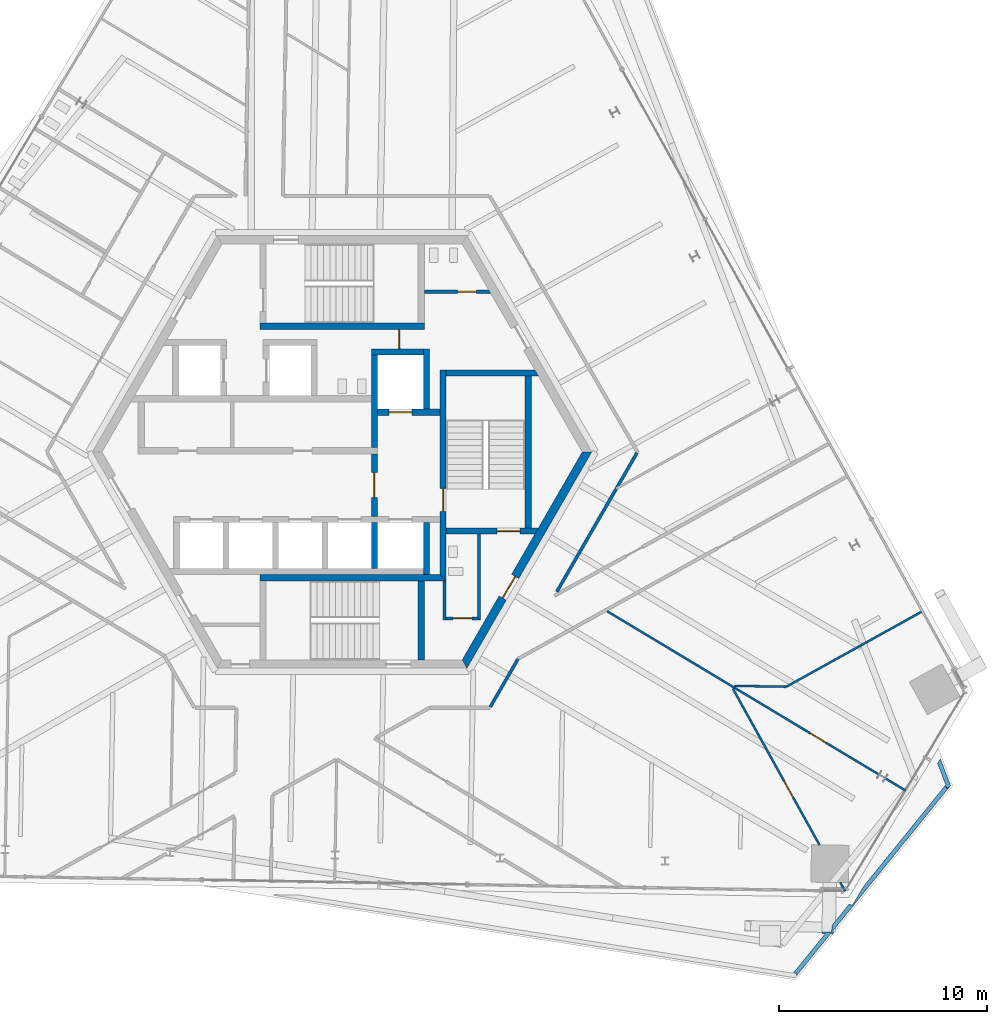
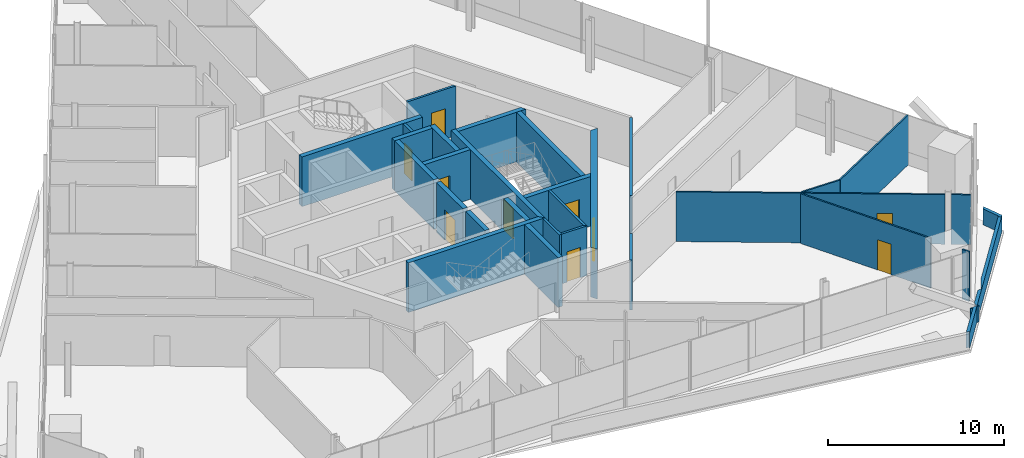
# One storey, part 16 of 22: 31 walls, 10 doors, 10 openings.
"""IFC4 building model written with IfcOpenShell, lengths in metres."""

from ifc_helpers import new_model, si_unit, direction, frame, frame_2d, origin, place, context, subcontext, project, spatial, polyline, rectangle, outline, extrude, source, transform, mapped, material, layer, layer_set, type_object, element, fill, save


model = new_model("IFC4")

# Units and contexts
model_context = context("Model", 3, precision=1e-05, world=origin(), true_north=direction((0.0, 1.0)))
body_context = subcontext(model_context, "Body", "Model", "MODEL_VIEW")
ifc_project = project(units=[si_unit("LENGTHUNIT", "METRE"), si_unit("AREAUNIT", "SQUARE_METRE"), si_unit("VOLUMEUNIT", "CUBIC_METRE"), si_unit("PLANEANGLEUNIT", "RADIAN"), si_unit("MASSUNIT", "GRAM", prefix="KILO")], contexts=[model_context])

# Site, building, storey
site_placement = place(None, origin())
site = spatial("IfcSite", under=ifc_project, at=site_placement, CompositionType="ELEMENT")
building_placement = place(site_placement, origin())
building = spatial("IfcBuilding", under=site, at=building_placement, Name="Triune Harvest Tower", CompositionType="ELEMENT")
storey_placement = place(building_placement, frame((0.0, 0.0, 179.89990234375)))
storey = spatial("IfcBuildingStorey", under=building, at=storey_placement, Name="L46", CompositionType="ELEMENT", Elevation=179.89990234375)

# Walls
ifc_material_1 = material(Name="Gypsum board on steel studs", Category="steel")
ifc_layer_1 = layer(ifc_material_1, 0.14990234375)
ifc_layer_set_1 = layer_set([ifc_layer_1], Name="Gypsum board on steel studs")
wall_type_1 = type_object("IfcWallType", Name="Fire Partition 150 mm", PredefinedType="PARTITIONING", material=ifc_layer_set_1)
wall_1_placement = place(storey_placement, frame((7.121826171875, -12.2490234375, 0.0), z_axis=(0.0, 0.0, 1.0), x_axis=(0.499993606316, 0.866029095148, 0.0)))
element("IfcWall", 1, at=wall_1_placement, inside=storey, type_object=wall_type_1, Name="Partition L46 046", PredefinedType="PARTITIONING", context=body_context, shape_type="SweptSolid", body=[
    extrude(rectangle(XDim=2.64990234375, YDim=0.14990234375, at=frame_2d((1.324951171875, 0.0))), origin(), (0.0, 0.0, 1.0), 3.440185546875),
])
wall_2_placement = place(storey_placement, frame((10.3193359375, -6.7109375, 0.0), z_axis=(0.0, 0.0, 1.0), x_axis=(0.49999968603, 0.866025585055, 0.0)))
element("IfcWall", 2, at=wall_2_placement, inside=storey, type_object=wall_type_1, Name="Partition L46 047", PredefinedType="PARTITIONING", context=body_context, shape_type="SweptSolid", body=[
    extrude(rectangle(XDim=7.69921875, YDim=0.14990234375, at=frame_2d((3.849609375, 0.0))), origin(), (0.0, 0.0, 1.0), 3.440185546875),
])
ifc_material_2 = material(Name="Concrete 40 MPa", Category="concrete")
ifc_layer_2 = layer(ifc_material_2, 0.199951171875)
ifc_layer_set_2 = layer_set([ifc_layer_2], Name="Concrete 40 MPa")
wall_type_2 = type_object("IfcWallType", Name="PA-1 parapet 200", PredefinedType="PARAPET", material=ifc_layer_set_2)
wall_3_placement = place(storey_placement, origin())
element("IfcWall", 3, at=wall_3_placement, inside=storey, type_object=wall_type_2, Name="Parapet wedge L45 3.1", PredefinedType="PARAPET", context=body_context, shape_type="SweptSolid", body=[
    extrude(outline(polyline([(28.994384765625, -16.010986328125), (29.0087890625, -15.9931640625), (28.614501953125, -14.965576171875), (28.7451171875, -14.748046875), (29.237060546875, -16.029296875), (29.164306640625, -16.119140625), (29.05224609375, -16.162109375), (28.994384765625, -16.010986328125)])), origin(), (0.0, 0.0, 1.0), 1.10009765625),
])
wall_4_placement = place(storey_placement, origin())
element("IfcWall", 4, at=wall_4_placement, inside=storey, type_object=wall_type_2, Name="Parapet wedge L45 3.3", PredefinedType="PARAPET", context=body_context, shape_type="SweptSolid", body=[
    extrude(outline(polyline([(23.21630859375, -23.146240234375), (23.05615234375, -23.1435546875), (23.0576171875, -23.068115234375), (23.657470703125, -23.07861328125), (23.59716796875, -23.15283203125), (23.47021484375, -23.150634765625), (21.830322265625, -25.17578125), (21.84912109375, -25.05712890625), (21.689453125, -25.031982421875), (23.21630859375, -23.146240234375)])), origin(), (0.0, 0.0, 1.0), 1.10009765625),
])
wall_5_placement = place(storey_placement, origin())
element("IfcWall", 5, at=wall_5_placement, inside=storey, type_object=wall_type_2, Name="Parapet wedge L45 3.4", PredefinedType="PARAPET", context=body_context, shape_type="SweptSolid", body=[
    extrude(outline(polyline([(24.343017578125, -21.75537109375), (24.53271484375, -21.758544921875), (25.08642578125, -20.8369140625), (28.994384765625, -16.010986328125), (29.05224609375, -16.162109375), (29.164306640625, -16.119140625), (23.52587890625, -23.08203125), (23.531494140625, -22.757080078125), (24.343017578125, -21.75537109375)])), origin(), (0.0, 0.0, 1.0), 1.10009765625),
])

# Wall, opening, door
ifc_material_3 = material(Name="Gypsum board on steel studs", Category="steel")
ifc_layer_3 = layer(ifc_material_3, 0.10009765625)
ifc_layer_set_3 = layer_set([ifc_layer_3], Name="Gypsum board on steel studs")
wall_type_3 = type_object("IfcWallType", Name="Partition 100 mm", PredefinedType="PARTITIONING", material=ifc_layer_set_3)
wall_6_placement = place(storey_placement, frame((18.7724609375, -11.367431640625, 0.0), z_axis=(0.0, 0.0, 1.0), x_axis=(0.484798970741, -0.874625610172, 0.0)))
wall_6 = element("IfcWall", 6, at=wall_6_placement, inside=storey, type_object=wall_type_3, Name="Partition L46 002", PredefinedType="PARTITIONING", context=body_context, shape_type="SweptSolid", body=[
    extrude(rectangle(XDim=8.598876953125, YDim=0.10009765625, at=frame_2d((4.29931640625, 0.0))), origin(), (0.0, 0.0, 1.0), 3.440185546875),
])
opening_1_placement = place(wall_6_placement, frame((5.080078125, 0.0, 0.0)))
opening_1 = element("IfcOpeningElement", 7, at=opening_1_placement, cuts=wall_6, Name="Opening L46-024", PredefinedType="OPENING", context=body_context, shape_type="SweptSolid", body=[
    extrude(rectangle(XDim=0.89990234375, YDim=2.10009765625, at=frame_2d((0.449951171875, 1.050048828125))), frame((0.0, 0.06005859375, 0.0), z_axis=(0.0, -1.0, 0.0), x_axis=(1.0, 0.0, 0.0)), (0.0, 0.0, 1.0), 0.1201171875),
])
ifc_material_4 = material(Name="Timber and steel door set", Category="steel")
door_type_1 = type_object("IfcDoorType", Name="Single leaf door right hand 900 x 2100", OperationType="SINGLE_SWING_RIGHT", PredefinedType="DOOR", material=ifc_material_4)
door_1_placement = place(opening_1_placement, origin())
door_1 = element("IfcDoor", 8, at=door_1_placement, inside=storey, type_object=door_type_1, Name="Door L46-024 Meeting Room 46.24", OperationType="SINGLE_SWING_RIGHT", OverallHeight=2.10009765625, OverallWidth=0.89990234375, PredefinedType="DOOR", context=body_context, shape_type="SweptSolid", body=[
    extrude(rectangle(XDim=0.89990234375, YDim=2.10009765625, at=frame_2d((0.449951171875, 1.050048828125))), frame((0.0, 0.02490234375, 0.0), z_axis=(0.0, -1.0, 0.0), x_axis=(1.0, 0.0, 0.0)), (0.0, 0.0, 1.0), 0.050048828125),
])
fill(opening_1, door_1)

# Wall
wall_7_placement = place(storey_placement, frame((23.937744140625, -20.685791015625, 0.0), z_axis=(0.0, 0.0, 1.0), x_axis=(0.484729049618, -0.874664363317, 0.0)))
element("IfcWall", 9, at=wall_7_placement, inside=storey, type_object=wall_type_3, Name="Partition L46 003", PredefinedType="PARTITIONING", context=body_context, shape_type="SweptSolid", body=[
    extrude(rectangle(XDim=0.4765625, YDim=0.10009765625, at=frame_2d((0.23828125, 0.0))), origin(), (0.0, 0.0, 1.0), 3.440185546875),
])

# Wall, opening, door
wall_8_placement = place(storey_placement, frame((12.737060546875, -7.6533203125, 0.0), z_axis=(0.0, 0.0, 1.0), x_axis=(0.857170730104, -0.515032367385, 0.0)))
wall_8 = element("IfcWall", 10, at=wall_8_placement, inside=storey, type_object=wall_type_3, Name="Partition L46 017", PredefinedType="PARTITIONING", context=body_context, shape_type="SweptSolid", body=[
    extrude(rectangle(XDim=15.251953125, YDim=0.10009765625, at=frame_2d((7.6259765625, 0.0))), origin(), (0.0, 0.0, 1.0), 3.440185546875),
])
opening_2_placement = place(wall_8_placement, frame((11.37548828125, 0.0, 0.0)))
opening_2 = element("IfcOpeningElement", 11, at=opening_2_placement, cuts=wall_8, Name="Opening L46-025", PredefinedType="OPENING", context=body_context, shape_type="SweptSolid", body=[
    extrude(rectangle(XDim=0.89990234375, YDim=2.10009765625, at=frame_2d((0.449951171875, 1.050048828125))), frame((0.0, 0.06005859375, 0.0), z_axis=(0.0, -1.0, 0.0), x_axis=(1.0, 0.0, 0.0)), (0.0, 0.0, 1.0), 0.1201171875),
])
door_2_placement = place(opening_2_placement, origin())
door_2 = element("IfcDoor", 12, at=door_2_placement, inside=storey, type_object=door_type_1, Name="Door L46-025 Pantry 46.25", OperationType="SINGLE_SWING_RIGHT", OverallHeight=2.10009765625, OverallWidth=0.89990234375, PredefinedType="DOOR", context=body_context, shape_type="SweptSolid", body=[
    extrude(rectangle(XDim=0.89990234375, YDim=2.10009765625, at=frame_2d((0.449951171875, 1.050048828125))), frame((0.0, 0.02490234375, 0.0), z_axis=(0.0, -1.0, 0.0), x_axis=(1.0, 0.0, 0.0)), (0.0, 0.0, 1.0), 0.050048828125),
])
fill(opening_2, door_2)

# Walls
wall_9_placement = place(storey_placement, frame((18.85009765625, -11.23876953125, 0.0), z_axis=(0.0, 0.0, 1.0), x_axis=(0.999848433568, -0.017410051426, 0.0)))
element("IfcWall", 13, at=wall_9_placement, inside=storey, type_object=wall_type_3, Name="Partition L46 028", PredefinedType="PARTITIONING", context=body_context, shape_type="SweptSolid", body=[
    extrude(rectangle(XDim=2.482177734375, YDim=0.10009765625, at=frame_2d((1.2412109375, 0.0))), origin(), (0.0, 0.0, 1.0), 3.440185546875),
])
wall_10_placement = place(storey_placement, frame((21.341796875, -11.2822265625, 0.0), z_axis=(0.0, 0.0, 1.0), x_axis=(0.87462638506, 0.484797572764, 0.0)))
element("IfcWall", 14, at=wall_10_placement, inside=storey, type_object=wall_type_3, Name="Partition L46 033", PredefinedType="PARTITIONING", context=body_context, shape_type="SweptSolid", body=[
    extrude(rectangle(XDim=7.48095703125, YDim=0.10009765625, at=frame_2d((3.740478515625, 0.0))), origin(), (0.0, 0.0, 1.0), 3.440185546875),
])

# Wall, opening, door
ifc_material_5 = material(Name="Concrete 70 MPa", Category="concrete")
ifc_layer_4 = layer(ifc_material_5, 0.39990234375)
ifc_layer_set_4 = layer_set([ifc_layer_4], Name="Concrete 70 MPa")
wall_type_4 = type_object("IfcWallType", Name="Core wall 400", PredefinedType="SHEAR", material=ifc_layer_set_4)
shared_shape_1 = source(origin(), body_context, "Body", "SweptSolid", [
    extrude(outline(polyline([(-0.115478515625, -0.199951171875), (11.884521484375, -0.199951171875), (11.653564453125, 0.199951171875), (0.115478515625, 0.199951171875), (-0.115478515625, -0.199951171875)])), origin(), (0.0, 0.0, 1.0), 3.440185546875),
])
wall_11_placement = place(storey_placement, frame((5.884521484375, -10.1923828125, 0.0), z_axis=(0.0, 0.0, 1.0), x_axis=(0.499996592174, 0.866027371285, 0.0)))
wall_11 = element("IfcWall", 15, at=wall_11_placement, inside=storey, type_object=wall_type_4, Name="Hexagon 5 wall", PredefinedType="SHEAR", context=body_context, shape_type="MappedRepresentation", body=[
    mapped(shared_shape_1, transform((0.0, 0.0, 0.0), scale=1.0)),
])
opening_3_placement = place(wall_11_placement, frame((3.66455078125, 0.0, 0.0)))
opening_3 = element("IfcOpeningElement", 16, at=opening_3_placement, cuts=wall_11, Name="Opening CD-DP", PredefinedType="OPENING", context=body_context, shape_type="SweptSolid", body=[
    extrude(rectangle(XDim=1.199951171875, YDim=2.10009765625, at=frame_2d((0.60009765625, 1.050048828125))), frame((0.0, 0.2099609375, 0.0), z_axis=(0.0, -1.0, 0.0), x_axis=(1.0, 0.0, 0.0)), (0.0, 0.0, 1.0), 0.419921875),
])
ifc_material_6 = material(Name="Steel S235", Category="steel")
door_type_2 = type_object("IfcDoorType", Name="Stair door 1200 FD120", OperationType="SINGLE_SWING_LEFT", PredefinedType="DOOR", material=ifc_material_6)
door_3_placement = place(opening_3_placement, frame((1.199951171875, 0.0, 0.0), z_axis=(0.0, 0.0, 1.0), x_axis=(-1.0, 0.0, 0.0)))
door_3 = element("IfcDoor", 17, at=door_3_placement, inside=storey, type_object=door_type_2, Name="Door CD-DP", OperationType="SINGLE_SWING_RIGHT", OverallHeight=2.10009765625, OverallWidth=1.199951171875, PredefinedType="DOOR", context=body_context, shape_type="SweptSolid", body=[
    extrude(rectangle(XDim=1.199951171875, YDim=2.10009765625, at=frame_2d((0.60009765625, 1.050048828125))), frame((0.0, 0.02490234375, 0.0), z_axis=(0.0, -1.0, 0.0), x_axis=(1.0, 0.0, 0.0)), (0.0, 0.0, 1.0), 0.050048828125),
])
fill(opening_3, door_3)

# Walls
ifc_material_7 = material(Name="Concrete 70 MPa", Category="concrete")
ifc_layer_5 = layer(ifc_material_7, 0.300048828125)
ifc_layer_set_5 = layer_set([ifc_layer_5], Name="Concrete 70 MPa")
wall_type_5 = type_object("IfcWallType", Name="Core wall 300", PredefinedType="SHEAR", material=ifc_layer_set_5)
shared_shape_2 = source(origin(), body_context, "Body", "SweptSolid", [
    extrude(rectangle(XDim=2.5, YDim=0.300048828125, at=frame_2d((1.25, 0.0))), origin(), (0.0, 0.0, 1.0), 3.440185546875),
])
for number, where, z_axis, x_axis, name in (
    (18, (1.39990234375, 4.81005859375, 0.0), (0.0, 0.0, 1.0), (1.0, 0.0, 0.0), "Ff1 back wall"),
    (19, (4.050048828125, -5.889892578125, 0.0), (0.0, 0.0, 1.0), (0.0, 1.0, 0.0), "Ff2 east wall"),
):
    element("IfcWall", number, at=place(storey_placement, frame(where, z_axis=z_axis, x_axis=x_axis)), inside=storey, type_object=wall_type_5, Name=name, PredefinedType="SHEAR", context=body_context, shape_type="MappedRepresentation", body=[
        mapped(shared_shape_2, transform((0.0, 0.0, 0.0), scale=1.0)),
    ])
shared_shape_3 = source(origin(), body_context, "Body", "SweptSolid", [
    extrude(rectangle(XDim=4.449951171875, YDim=0.300048828125, at=frame_2d((2.22509765625, 0.0))), origin(), (0.0, 0.0, 1.0), 3.440185546875),
])
wall_12_placement = place(storey_placement, frame((1.550048828125, 0.2099609375, 0.0), z_axis=(0.0, 0.0, 1.0), x_axis=(0.0, 1.0, 0.0)))
element("IfcWall", 20, at=wall_12_placement, inside=storey, type_object=wall_type_5, Name="Ff1 west wall", PredefinedType="SHEAR", context=body_context, shape_type="MappedRepresentation", body=[
    mapped(shared_shape_3, transform((0.0, 0.0, 0.0), scale=1.0)),
])

# Wall, opening, door
shared_shape_4 = source(origin(), body_context, "Body", "SweptSolid", [
    extrude(rectangle(XDim=3.0, YDim=0.300048828125, at=frame_2d((1.5, 0.0))), origin(), (0.0, 0.0, 1.0), 3.440185546875),
])
wall_13_placement = place(storey_placement, frame((1.699951171875, 1.909912109375, 0.0), z_axis=(0.0, 0.0, 1.0), x_axis=(1.0, 0.0, 0.0)))
wall_13 = element("IfcWall", 21, at=wall_13_placement, inside=storey, type_object=wall_type_5, Name="Ff1 front wall", PredefinedType="SHEAR", context=body_context, shape_type="MappedRepresentation", body=[
    mapped(shared_shape_4, transform((0.0, 0.0, 0.0), scale=1.0)),
])
opening_4_placement = place(wall_13_placement, frame((0.550048828125, 0.0, 0.0)))
opening_4 = element("IfcOpeningElement", 22, at=opening_4_placement, cuts=wall_13, Name="Opening LD-FF1-46", PredefinedType="OPENING", context=body_context, shape_type="SweptSolid", body=[
    extrude(rectangle(XDim=1.10009765625, YDim=2.10009765625, at=frame_2d((0.550048828125, 1.050048828125))), frame((0.0, 0.16015625, 0.0), z_axis=(0.0, -1.0, 0.0), x_axis=(1.0, 0.0, 0.0)), (0.0, 0.0, 1.0), 0.320068359375),
])
ifc_material_8 = material(Name="Stainless steel AISI 304", Category="steel")
door_type_3 = type_object("IfcDoorType", Name="Landing door 1100 x 2100", OperationType="DOUBLE_DOOR_SLIDING", PredefinedType="DOOR", material=ifc_material_8)
door_4_placement = place(opening_4_placement, origin())
door_4 = element("IfcDoor", 23, at=door_4_placement, inside=storey, type_object=door_type_3, Name="Door LD-FF1-46", OperationType="DOUBLE_DOOR_SLIDING", OverallHeight=2.10009765625, OverallWidth=1.10009765625, PredefinedType="DOOR", context=body_context, shape_type="SweptSolid", body=[
    extrude(rectangle(XDim=1.10009765625, YDim=2.10009765625, at=frame_2d((0.550048828125, 1.050048828125))), frame((0.0, 0.02490234375, 0.0), z_axis=(0.0, -1.0, 0.0), x_axis=(1.0, 0.0, 0.0)), (0.0, 0.0, 1.0), 0.050048828125),
])
fill(opening_4, door_4)

wall_14_placement = place(storey_placement, frame((1.550048828125, -3.090087890625, 0.0), z_axis=(0.0, 0.0, 1.0), x_axis=(0.0, 1.0, 0.0)))
wall_14 = element("IfcWall", 24, at=wall_14_placement, inside=storey, type_object=wall_type_5, Name="Ff lobby west wall", PredefinedType="SHEAR", context=body_context, shape_type="MappedRepresentation", body=[
    mapped(shared_shape_4, transform((0.0, 0.0, 0.0), scale=1.0)),
])
opening_5_placement = place(wall_14_placement, frame((0.89990234375, 0.0, 0.0)))
opening_5 = element("IfcOpeningElement", 25, at=opening_5_placement, cuts=wall_14, Name="Opening CD-FL", PredefinedType="OPENING", context=body_context, shape_type="SweptSolid", body=[
    extrude(rectangle(XDim=1.199951171875, YDim=2.10009765625, at=frame_2d((0.60009765625, 1.050048828125))), frame((0.0, 0.16015625, 0.0), z_axis=(0.0, -1.0, 0.0), x_axis=(1.0, 0.0, 0.0)), (0.0, 0.0, 1.0), 0.320068359375),
])
ifc_material_9 = material(Name="Steel S235", Category="steel")
door_type_4 = type_object("IfcDoorType", Name="Firefighters' lobby door 1200 FD120", OperationType="SINGLE_SWING_LEFT", PredefinedType="DOOR", material=ifc_material_9)
door_5_placement = place(opening_5_placement, frame((1.199951171875, 0.0, 0.0), z_axis=(0.0, 0.0, 1.0), x_axis=(-1.0, 0.0, 0.0)))
door_5 = element("IfcDoor", 26, at=door_5_placement, inside=storey, type_object=door_type_4, Name="Door CD-FL", OperationType="SINGLE_SWING_RIGHT", OverallHeight=2.10009765625, OverallWidth=1.199951171875, PredefinedType="DOOR", context=body_context, shape_type="SweptSolid", body=[
    extrude(rectangle(XDim=1.199951171875, YDim=2.10009765625, at=frame_2d((0.60009765625, 1.050048828125))), frame((0.0, 0.02490234375, 0.0), z_axis=(0.0, -1.0, 0.0), x_axis=(1.0, 0.0, 0.0)), (0.0, 0.0, 1.0), 0.050048828125),
])
fill(opening_5, door_5)

# Walls
shared_shape_5 = source(origin(), body_context, "Body", "SweptSolid", [
    extrude(rectangle(XDim=2.89990234375, YDim=0.300048828125, at=frame_2d((1.449951171875, 0.0))), origin(), (0.0, 0.0, 1.0), 3.440185546875),
])
wall_15_placement = place(storey_placement, frame((4.050048828125, 2.06005859375, 0.0), z_axis=(0.0, 0.0, 1.0), x_axis=(0.0, 1.0, 0.0)))
element("IfcWall", 27, at=wall_15_placement, inside=storey, type_object=wall_type_5, Name="Ff1 east wall", PredefinedType="SHEAR", context=body_context, shape_type="MappedRepresentation", body=[
    mapped(shared_shape_5, transform((0.0, 0.0, 0.0), scale=1.0)),
])
shared_shape_6 = source(origin(), body_context, "Body", "SweptSolid", [
    extrude(rectangle(XDim=2.2001953125, YDim=0.300048828125, at=frame_2d((1.10009765625, 0.0))), origin(), (0.0, 0.0, 1.0), 3.440185546875),
])
wall_16_placement = place(storey_placement, frame((1.550048828125, -5.590087890625, 0.0), z_axis=(0.0, 0.0, 1.0), x_axis=(0.0, 1.0, 0.0)))
element("IfcWall", 28, at=wall_16_placement, inside=storey, type_object=wall_type_5, Name="Ff2 west wall", PredefinedType="SHEAR", context=body_context, shape_type="MappedRepresentation", body=[
    mapped(shared_shape_6, transform((0.0, 0.0, 0.0), scale=1.0)),
])

# Wall, opening, door
shared_shape_7 = source(origin(), body_context, "Body", "SweptSolid", [
    extrude(outline(polyline([(-0.14990234375, -0.14990234375), (9.989990234375, -0.14990234375), (9.989990234375, 0.14990234375), (0.14990234375, 0.14990234375), (-0.14990234375, -0.14990234375)])), origin(), (0.0, 0.0, 1.0), 3.440185546875),
])
wall_17_placement = place(storey_placement, frame((4.85009765625, -6.0400390625, 0.0), z_axis=(0.0, 0.0, 1.0), x_axis=(0.0, 1.0, 0.0)))
wall_17 = element("IfcWall", 29, at=wall_17_placement, inside=storey, type_object=wall_type_5, Name="Stair e west wall", PredefinedType="SHEAR", context=body_context, shape_type="MappedRepresentation", body=[
    mapped(shared_shape_7, transform((0.0, 0.0, 0.0), scale=1.0)),
])
opening_6_placement = place(wall_17_placement, frame((3.18994140625, 0.0, 0.0)))
opening_6 = element("IfcOpeningElement", 30, at=opening_6_placement, cuts=wall_17, Name="Opening CD-S3L", PredefinedType="OPENING", context=body_context, shape_type="SweptSolid", body=[
    extrude(rectangle(XDim=1.10009765625, YDim=2.10009765625, at=frame_2d((0.550048828125, 1.050048828125))), frame((0.0, 0.16015625, 0.0), z_axis=(0.0, -1.0, 0.0), x_axis=(1.0, 0.0, 0.0)), (0.0, 0.0, 1.0), 0.320068359375),
])
ifc_material_10 = material(Name="Steel S235", Category="steel")
door_type_5 = type_object("IfcDoorType", Name="Stair door 1100 FD120", OperationType="SINGLE_SWING_LEFT", PredefinedType="DOOR", material=ifc_material_10)
door_6_placement = place(opening_6_placement, frame((1.10009765625, 0.0, 0.0), z_axis=(0.0, 0.0, 1.0), x_axis=(-1.0, 0.0, 0.0)))
door_6 = element("IfcDoor", 31, at=door_6_placement, inside=storey, type_object=door_type_5, Name="Door CD-S3L", OperationType="SINGLE_SWING_RIGHT", OverallHeight=2.10009765625, OverallWidth=1.10009765625, PredefinedType="DOOR", context=body_context, shape_type="SweptSolid", body=[
    extrude(rectangle(XDim=1.10009765625, YDim=2.10009765625, at=frame_2d((0.550048828125, 1.050048828125))), frame((0.0, 0.02490234375, 0.0), z_axis=(0.0, -1.0, 0.0), x_axis=(1.0, 0.0, 0.0)), (0.0, 0.0, 1.0), 0.050048828125),
])
fill(opening_6, door_6)

# Wall
shared_shape_8 = source(origin(), body_context, "Body", "SweptSolid", [
    extrude(outline(polyline([(0.0, -0.14990234375), (0.0, 0.14990234375), (4.260009765625, 0.14990234375), (4.43310546875, -0.14990234375), (0.0, -0.14990234375)])), origin(), (0.0, 0.0, 1.0), 3.440185546875),
])
wall_18_placement = place(storey_placement, frame((5.0, 3.800048828125, 0.0), z_axis=(0.0, 0.0, 1.0), x_axis=(1.0, 0.0, 0.0)))
element("IfcWall", 32, at=wall_18_placement, inside=storey, type_object=wall_type_5, Name="Stair e north wall", PredefinedType="SHEAR", context=body_context, shape_type="MappedRepresentation", body=[
    mapped(shared_shape_8, transform((0.0, 0.0, 0.0), scale=1.0)),
])

# Wall, opening, door
shared_shape_9 = source(origin(), body_context, "Body", "SweptSolid", [
    extrude(outline(polyline([(0.0, -0.14990234375), (0.0, 0.14990234375), (4.43310546875, 0.14990234375), (4.260009765625, -0.14990234375), (0.0, -0.14990234375)])), origin(), (0.0, 0.0, 1.0), 3.440185546875),
])
wall_19_placement = place(storey_placement, frame((5.0, -3.800048828125, 0.0), z_axis=(0.0, 0.0, 1.0), x_axis=(1.0, 0.0, 0.0)))
wall_19 = element("IfcWall", 33, at=wall_19_placement, inside=storey, type_object=wall_type_5, Name="Stair e south wall", PredefinedType="SHEAR", context=body_context, shape_type="MappedRepresentation", body=[
    mapped(shared_shape_9, transform((0.0, 0.0, 0.0), scale=1.0)),
])
opening_7_placement = place(wall_19_placement, frame((2.449951171875, 0.0, 0.0)))
opening_7 = element("IfcOpeningElement", 34, at=opening_7_placement, cuts=wall_19, Name="Opening CD-S3D", PredefinedType="OPENING", context=body_context, shape_type="SweptSolid", body=[
    extrude(rectangle(XDim=1.10009765625, YDim=2.10009765625, at=frame_2d((0.550048828125, 1.050048828125))), frame((0.0, 0.16015625, 0.0), z_axis=(0.0, -1.0, 0.0), x_axis=(1.0, 0.0, 0.0)), (0.0, 0.0, 1.0), 0.320068359375),
])
door_7_placement = place(opening_7_placement, frame((1.10009765625, 0.0, 0.0), z_axis=(0.0, 0.0, 1.0), x_axis=(-1.0, 0.0, 0.0)))
door_7 = element("IfcDoor", 35, at=door_7_placement, inside=storey, type_object=door_type_5, Name="Door CD-S3D", OperationType="SINGLE_SWING_RIGHT", OverallHeight=2.10009765625, OverallWidth=1.10009765625, PredefinedType="DOOR", context=body_context, shape_type="SweptSolid", body=[
    extrude(rectangle(XDim=1.10009765625, YDim=2.10009765625, at=frame_2d((0.550048828125, 1.050048828125))), frame((0.0, 0.02490234375, 0.0), z_axis=(0.0, -1.0, 0.0), x_axis=(1.0, 0.0, 0.0)), (0.0, 0.0, 1.0), 0.050048828125),
])
fill(opening_7, door_7)

# Walls
shared_shape_10 = source(origin(), body_context, "Body", "SweptSolid", [
    extrude(rectangle(XDim=7.2998046875, YDim=0.300048828125, at=frame_2d((3.64990234375, 0.0))), origin(), (0.0, 0.0, 1.0), 3.440185546875),
])
wall_20_placement = place(storey_placement, frame((8.949951171875, -3.64990234375, 0.0), z_axis=(0.0, 0.0, 1.0), x_axis=(0.0, 1.0, 0.0)))
element("IfcWall", 36, at=wall_20_placement, inside=storey, type_object=wall_type_5, Name="Stair e east wall", PredefinedType="SHEAR", context=body_context, shape_type="MappedRepresentation", body=[
    mapped(shared_shape_10, transform((0.0, 0.0, 0.0), scale=1.0)),
])
shared_shape_11 = source(origin(), body_context, "Body", "SweptSolid", [
    extrude(rectangle(XDim=7.89990234375, YDim=0.300048828125, at=frame_2d((3.949951171875, 0.0))), origin(), (0.0, 0.0, 1.0), 3.440185546875),
])
wall_21_placement = place(storey_placement, frame((-3.949951171875, 6.0400390625, 0.0), z_axis=(0.0, 0.0, 1.0), x_axis=(1.0, 0.0, 0.0)))
element("IfcWall", 37, at=wall_21_placement, inside=storey, type_object=wall_type_5, Name="Stair n south wall", PredefinedType="SHEAR", context=body_context, shape_type="MappedRepresentation", body=[
    mapped(shared_shape_11, transform((0.0, 0.0, 0.0), scale=1.0)),
])
shared_shape_12 = source(origin(), body_context, "Body", "SweptSolid", [
    extrude(outline(polyline([(0.0, -0.14990234375), (8.949951171875, -0.14990234375), (8.64990234375, 0.14990234375), (0.0, 0.14990234375), (0.0, -0.14990234375)])), origin(), (0.0, 0.0, 1.0), 3.440185546875),
])
wall_22_placement = place(storey_placement, frame((-3.949951171875, -6.0400390625, 0.0), z_axis=(0.0, 0.0, 1.0), x_axis=(1.0, 0.0, 0.0)))
element("IfcWall", 38, at=wall_22_placement, inside=storey, type_object=wall_type_5, Name="Stair s north wall", PredefinedType="SHEAR", context=body_context, shape_type="MappedRepresentation", body=[
    mapped(shared_shape_12, transform((0.0, 0.0, 0.0), scale=1.0)),
])
shared_shape_13 = source(origin(), body_context, "Body", "SweptSolid", [
    extrude(outline(polyline([(3.800048828125, -0.14990234375), (-0.00439453125, -0.14990234375), (-0.00439453125, 0.14990234375), (3.800048828125, 0.14990234375), (3.800048828125, -0.14990234375)])), origin(), (0.0, 0.0, 1.0), 3.440185546875),
])
wall_23_placement = place(storey_placement, frame((3.800048828125, -9.989990234375, 0.0), z_axis=(0.0, 0.0, 1.0), x_axis=(0.0, 1.0, 0.0)))
element("IfcWall", 39, at=wall_23_placement, inside=storey, type_object=wall_type_5, Name="Stair s east wall", PredefinedType="SHEAR", context=body_context, shape_type="MappedRepresentation", body=[
    mapped(shared_shape_13, transform((0.0, 0.0, 0.0), scale=1.0)),
])

# Wall, opening, door
ifc_material_11 = material(Name="Concrete masonry unit", Category="masonry")
ifc_layer_6 = layer(ifc_material_11, 0.14990234375)
ifc_layer_set_6 = layer_set([ifc_layer_6], Name="Concrete masonry unit")
wall_type_6 = type_object("IfcWallType", Name="Block partition 150 unrated", PredefinedType="PARTITIONING", material=ifc_layer_set_6)
shared_shape_14 = source(origin(), body_context, "Body", "SweptSolid", [
    extrude(outline(polyline([(0.0, -0.074951171875), (1.64990234375, -0.074951171875), (1.5, 0.074951171875), (0.0, 0.074951171875), (0.0, -0.074951171875)])), origin(), (0.0, 0.0, 1.0), 3.440185546875),
])
wall_24_placement = place(storey_placement, frame((5.0, -8.0, 0.0), z_axis=(0.0, 0.0, 1.0), x_axis=(1.0, 0.0, 0.0)))
wall_24 = element("IfcWall", 40, at=wall_24_placement, inside=storey, type_object=wall_type_6, Name="Wc acc south wall", PredefinedType="PARTITIONING", context=body_context, shape_type="MappedRepresentation", body=[
    mapped(shared_shape_14, transform((0.0, 0.0, 0.0), scale=1.0)),
])
opening_8_placement = place(wall_24_placement, frame((0.33740234375, 0.0, 0.0)))
opening_8 = element("IfcOpeningElement", 41, at=opening_8_placement, cuts=wall_24, Name="Opening CD-WA", PredefinedType="OPENING", context=body_context, shape_type="SweptSolid", body=[
    extrude(rectangle(XDim=0.89990234375, YDim=2.10009765625, at=frame_2d((0.449951171875, 1.050048828125))), frame((0.0, 0.0849609375, 0.0), z_axis=(0.0, -1.0, 0.0), x_axis=(1.0, 0.0, 0.0)), (0.0, 0.0, 1.0), 0.169921875),
])
ifc_material_12 = material(Name="Timber C24", Category="wood")
door_type_6 = type_object("IfcDoorType", Name="WC door 900", OperationType="SINGLE_SWING_LEFT", PredefinedType="DOOR", material=ifc_material_12)
door_8_placement = place(opening_8_placement, origin())
door_8 = element("IfcDoor", 42, at=door_8_placement, inside=storey, type_object=door_type_6, Name="Door CD-WA", OperationType="SINGLE_SWING_LEFT", OverallHeight=2.10009765625, OverallWidth=0.89990234375, PredefinedType="DOOR", context=body_context, shape_type="SweptSolid", body=[
    extrude(rectangle(XDim=0.89990234375, YDim=2.10009765625, at=frame_2d((0.449951171875, 1.050048828125))), frame((0.0, 0.02490234375, 0.0), z_axis=(0.0, -1.0, 0.0), x_axis=(1.0, 0.0, 0.0)), (0.0, 0.0, 1.0), 0.050048828125),
])
fill(opening_8, door_8)

# Walls
shared_shape_15 = source(origin(), body_context, "Body", "SweptSolid", [
    extrude(outline(polyline([(-0.074951171875, -0.074951171875), (4.050048828125, -0.074951171875), (4.050048828125, 0.074951171875), (0.074951171875, 0.074951171875), (-0.074951171875, -0.074951171875)])), origin(), (0.0, 0.0, 1.0), 3.440185546875),
])
wall_25_placement = place(storey_placement, frame((6.574951171875, -8.0, 0.0), z_axis=(0.0, 0.0, 1.0), x_axis=(0.0, 1.0, 0.0)))
element("IfcWall", 43, at=wall_25_placement, inside=storey, type_object=wall_type_6, Name="Wc acc east wall", PredefinedType="PARTITIONING", context=body_context, shape_type="MappedRepresentation", body=[
    mapped(shared_shape_15, transform((0.0, 0.0, 0.0), scale=1.0)),
])
shared_shape_16 = source(origin(), body_context, "Body", "SweptSolid", [
    extrude(rectangle(XDim=1.885009765625, YDim=0.14990234375, at=frame_2d((0.9423828125, 0.0))), origin(), (0.0, 0.0, 1.0), 3.440185546875),
])
wall_26_placement = place(storey_placement, frame((4.925048828125, -8.074951171875, 0.0), z_axis=(0.0, 0.0, 1.0), x_axis=(0.0, 1.0, 0.0)))
element("IfcWall", 44, at=wall_26_placement, inside=storey, type_object=wall_type_6, Name="Wc acc west wall", PredefinedType="PARTITIONING", context=body_context, shape_type="MappedRepresentation", body=[
    mapped(shared_shape_16, transform((0.0, 0.0, 0.0), scale=1.0)),
])

# Wall, opening, door
shared_shape_17 = source(origin(), body_context, "Body", "SweptSolid", [
    extrude(outline(polyline([(0.0, -0.074951171875), (0.0, 0.074951171875), (3.1015625, 0.074951171875), (3.18798828125, -0.074951171875), (0.0, -0.074951171875)])), origin(), (0.0, 0.0, 1.0), 3.440185546875),
])
wall_27_placement = place(storey_placement, frame((3.949951171875, 7.699951171875, 0.0), z_axis=(0.0, 0.0, 1.0), x_axis=(1.0, 0.0, 0.0)))
wall_27 = element("IfcWall", 45, at=wall_27_placement, inside=storey, type_object=wall_type_6, Name="Wc women south wall", PredefinedType="PARTITIONING", context=body_context, shape_type="MappedRepresentation", body=[
    mapped(shared_shape_17, transform((0.0, 0.0, 0.0), scale=1.0)),
])
opening_9_placement = place(wall_27_placement, frame((1.60009765625, 0.0, 0.0)))
opening_9 = element("IfcOpeningElement", 46, at=opening_9_placement, cuts=wall_27, Name="Opening CD-WW", PredefinedType="OPENING", context=body_context, shape_type="SweptSolid", body=[
    extrude(rectangle(XDim=0.89990234375, YDim=2.10009765625, at=frame_2d((0.449951171875, 1.050048828125))), frame((0.0, 0.0849609375, 0.0), z_axis=(0.0, -1.0, 0.0), x_axis=(1.0, 0.0, 0.0)), (0.0, 0.0, 1.0), 0.169921875),
])
door_9_placement = place(opening_9_placement, origin())
door_9 = element("IfcDoor", 47, at=door_9_placement, inside=storey, type_object=door_type_6, Name="Door CD-WW", OperationType="SINGLE_SWING_LEFT", OverallHeight=2.10009765625, OverallWidth=0.89990234375, PredefinedType="DOOR", context=body_context, shape_type="SweptSolid", body=[
    extrude(rectangle(XDim=0.89990234375, YDim=2.10009765625, at=frame_2d((0.449951171875, 1.050048828125))), frame((0.0, 0.02490234375, 0.0), z_axis=(0.0, -1.0, 0.0), x_axis=(1.0, 0.0, 0.0)), (0.0, 0.0, 1.0), 0.050048828125),
])
fill(opening_9, door_9)

shared_shape_18 = source(origin(), body_context, "Body", "SweptSolid", [
    extrude(rectangle(XDim=0.929931640625, YDim=0.14990234375, at=frame_2d((0.46484375, 0.0))), origin(), (0.0, 0.0, 1.0), 3.440185546875),
])
wall_28_placement = place(storey_placement, frame((2.75, 4.9599609375, 0.0), z_axis=(0.0, 0.0, 1.0), x_axis=(0.0, 1.0, 0.0)))
wall_28 = element("IfcWall", 48, at=wall_28_placement, inside=storey, type_object=wall_type_6, Name="Wc men east b wall", PredefinedType="PARTITIONING", context=body_context, shape_type="MappedRepresentation", body=[
    mapped(shared_shape_18, transform((0.0, 0.0, 0.0), scale=1.0)),
])
opening_10_placement = place(wall_28_placement, frame((0.014892578125, 0.0, 0.0)))
opening_10 = element("IfcOpeningElement", 49, at=opening_10_placement, cuts=wall_28, Name="Opening CD-WM", PredefinedType="OPENING", context=body_context, shape_type="SweptSolid", body=[
    extrude(rectangle(XDim=0.89990234375, YDim=2.10009765625, at=frame_2d((0.449951171875, 1.050048828125))), frame((0.0, 0.0849609375, 0.0), z_axis=(0.0, -1.0, 0.0), x_axis=(1.0, 0.0, 0.0)), (0.0, 0.0, 1.0), 0.169921875),
])
door_10_placement = place(opening_10_placement, origin())
door_10 = element("IfcDoor", 50, at=door_10_placement, inside=storey, type_object=door_type_6, Name="Door CD-WM", OperationType="SINGLE_SWING_LEFT", OverallHeight=2.10009765625, OverallWidth=0.89990234375, PredefinedType="DOOR", context=body_context, shape_type="SweptSolid", body=[
    extrude(rectangle(XDim=0.89990234375, YDim=2.10009765625, at=frame_2d((0.449951171875, 1.050048828125))), frame((0.0, 0.02490234375, 0.0), z_axis=(0.0, -1.0, 0.0), x_axis=(1.0, 0.0, 0.0)), (0.0, 0.0, 1.0), 0.050048828125),
])
fill(opening_10, door_10)

# Wall
shared_shape_19 = source(origin(), body_context, "Body", "SweptSolid", [
    extrude(rectangle(XDim=1.13037109375, YDim=0.10009765625, at=frame_2d((0.565185546875, 0.0))), origin(), (0.0, 0.0, 1.0), 3.440185546875),
])
wall_29_placement = place(storey_placement, frame((26.104736328125, -15.685302734375, 0.0), z_axis=(0.0, 0.0, 1.0), x_axis=(0.857149738065, -0.515067302919, 0.0)))
element("IfcWall", 51, at=wall_29_placement, inside=storey, type_object=wall_type_3, Name="Partition L46 018", PredefinedType="PARTITIONING", context=body_context, shape_type="MappedRepresentation", body=[
    mapped(shared_shape_19, transform((0.0, 0.0, 0.0), scale=1.0)),
])

save(model, "model.ifc")
